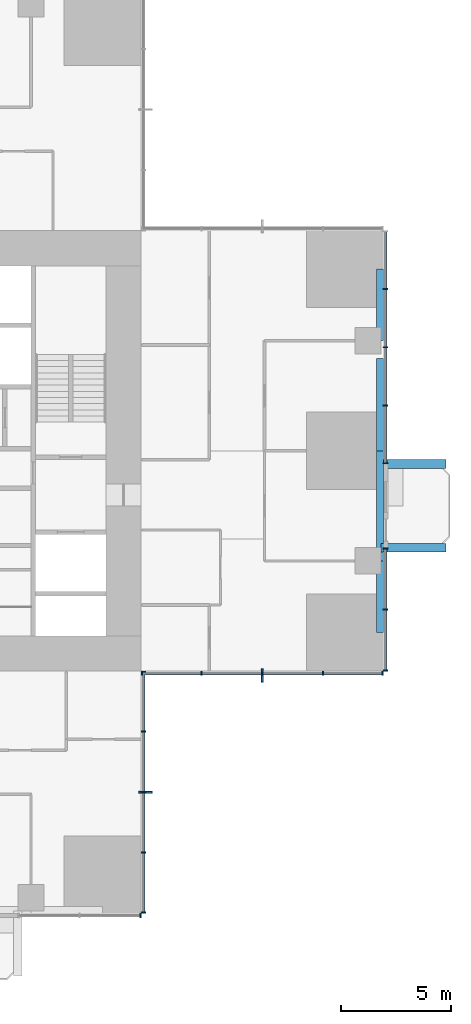
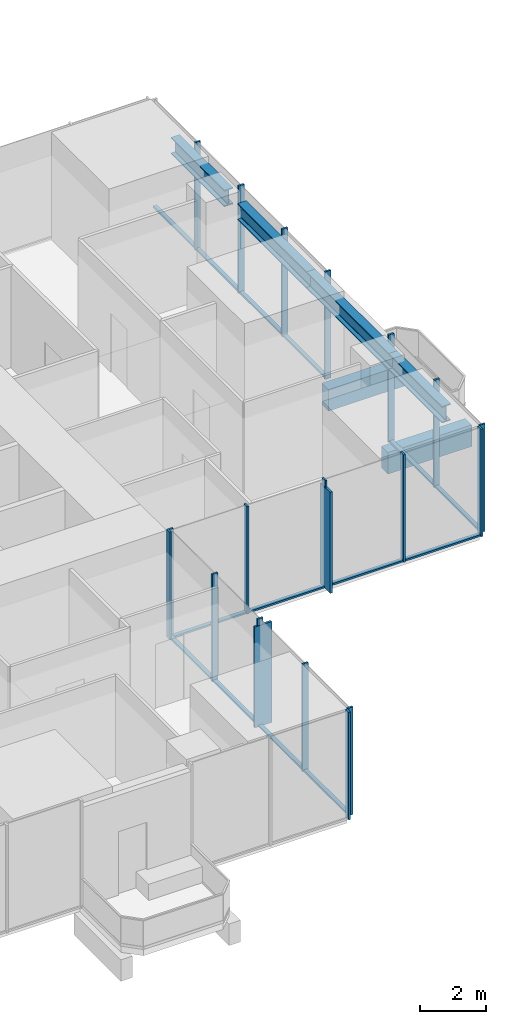
# One storey, part 4 of 13: 34 members, 6 beams, 5 elements without a shape of their own.
"""IFC4 building model written with IfcOpenShell, lengths in metres."""

from ifc_helpers import new_model, si_unit, direction, frame, origin, origin_2d, place, context, subcontext, project, spatial, rectangle, i_section, extrude, material, material_profile, profile_set, type_object, element, aggregate, save


model = new_model("IFC4")

# Units and contexts
model_context = context("Model", 3, precision=1e-05, world=origin(), true_north=direction((0.0, 1.0)))
body_context = subcontext(model_context, "Body", "Model", "MODEL_VIEW")
ifc_project = project(units=[si_unit("LENGTHUNIT", "METRE"), si_unit("AREAUNIT", "SQUARE_METRE"), si_unit("VOLUMEUNIT", "CUBIC_METRE"), si_unit("PLANEANGLEUNIT", "RADIAN"), si_unit("MASSUNIT", "GRAM", prefix="KILO")], contexts=[model_context])

# Site, building, storey
site_placement = place(None, origin())
site = spatial("IfcSite", under=ifc_project, at=site_placement, CompositionType="ELEMENT")
building_placement = place(site_placement, origin())
building = spatial("IfcBuilding", under=site, at=building_placement, Name="Svetlomir Tower", CompositionType="ELEMENT")
storey_placement = place(building_placement, frame((0.0, 0.0, 96.5)))
storey = spatial("IfcBuildingStorey", under=building, at=storey_placement, Name="L22", CompositionType="ELEMENT", Elevation=96.5)

# Beams
ifc_material_1 = material(Name="Concrete C60/75", Category="concrete")
ifc_material_profile_1 = material_profile(ifc_material_1, rectangle(XDim=0.39990234375, YDim=0.800048828125, at=origin_2d()), Name="RC 400x800")
ifc_profile_set_1 = profile_set([ifc_material_profile_1], Name="Concrete C60/75")
beam_type_1 = type_object("IfcBeamType", Name="BALCONY RIB RC 400x800", PredefinedType="BEAM", material=ifc_profile_set_1)
beam_1_placement = place(storey_placement, frame((41.89990234375, 16.60009765625, -0.64990234375), z_axis=(1.0, 0.0, 0.0), x_axis=(0.0, 1.0, 0.0)))
element("IfcBeam", 1, at=beam_1_placement, inside=storey, type_object=beam_type_1, Name="Balcony rib E 1 L22", PredefinedType="BEAM", context=body_context, shape_type="SweptSolid", body=[
    extrude(rectangle(XDim=0.39990234375, YDim=0.800048828125, at=origin_2d()), origin(), (0.0, 0.0, 1.0), 2.9501953125),
])
beam_2_placement = place(storey_placement, frame((42.0, 20.39990234375, -0.64990234375), z_axis=(1.0, 0.0, 0.0), x_axis=(0.0, 1.0, 0.0)))
element("IfcBeam", 2, at=beam_2_placement, inside=storey, type_object=beam_type_1, Name="Balcony rib E 2 L22", PredefinedType="BEAM", context=body_context, shape_type="SweptSolid", body=[
    extrude(rectangle(XDim=0.39990234375, YDim=0.800048828125, at=origin_2d()), origin(), (0.0, 0.0, 1.0), 2.85009765625),
])

# Curtain wall, member
ifc_material_2 = material(Name="Bronze anodised aluminium curtain wall", Category="aluminium")
curtain_wall_type = type_object("IfcCurtainWallType", Name="CURTAIN WALL CW1 TOWER OFFICE", PredefinedType="NOTDEFINED", material=ifc_material_2)
curtain_wall_1_placement = place(storey_placement, origin())
curtain_wall_1 = element("IfcCurtainWall", 3, at=curtain_wall_1_placement, inside=storey, type_object=curtain_wall_type, Name="Curtain wall CW1 L22", PredefinedType="NOTDEFINED")
ifc_material_3 = material(Name="Bronze anodised aluminium", Category="aluminium")
ifc_material_profile_2 = material_profile(ifc_material_3, rectangle(XDim=0.080078125, YDim=0.60009765625, at=origin_2d()), Name="FIN 80x600")
ifc_profile_set_2 = profile_set([ifc_material_profile_2], Name="Bronze anodised aluminium 6063-T6")
member_type_1 = type_object("IfcMemberType", Name="BRONZE FIN 80x600", PredefinedType="USERDEFINED", material=ifc_profile_set_2)
member_1_placement = place(storey_placement, frame((31.199951171875, 5.5, 0.0), z_axis=(0.0, 0.0, 1.0), x_axis=(0.0, 1.0, 0.0)))
member_1 = element("IfcMember", 4, at=member_1_placement, type_object=member_type_1, Name="Bronze fin L22", ObjectType="FIN", PredefinedType="USERDEFINED", context=body_context, shape_type="SweptSolid", body=[
    extrude(rectangle(XDim=0.080078125, YDim=0.60009765625, at=origin_2d()), origin(), (0.0, 0.0, 1.0), 3.75),
])

curtain_wall_2_placement = place(storey_placement, origin())
curtain_wall_2 = element("IfcCurtainWall", 5, at=curtain_wall_2_placement, inside=storey, type_object=curtain_wall_type, Name="Curtain wall CW1 L22", PredefinedType="NOTDEFINED")
member_2_placement = place(storey_placement, frame((36.5, 10.800048828125, 0.0), z_axis=(0.0, 0.0, 1.0), x_axis=(1.0, 0.0, 0.0)))
member_2 = element("IfcMember", 6, at=member_2_placement, type_object=member_type_1, Name="Bronze fin L22", ObjectType="FIN", PredefinedType="USERDEFINED", context=body_context, shape_type="SweptSolid", body=[
    extrude(rectangle(XDim=0.080078125, YDim=0.60009765625, at=origin_2d()), origin(), (0.0, 0.0, 1.0), 3.75),
])

curtain_wall_3_placement = place(storey_placement, origin())
curtain_wall_3 = element("IfcCurtainWall", 7, at=curtain_wall_3_placement, inside=storey, type_object=curtain_wall_type, Name="Curtain wall CW1 L22", PredefinedType="NOTDEFINED")
ifc_material_4 = material(Name="Bronze anodised aluminium", Category="aluminium")
ifc_material_profile_3 = material_profile(ifc_material_4, rectangle(XDim=0.06494140625, YDim=0.199951171875, at=origin_2d()), Name="AL 65x200")
ifc_profile_set_3 = profile_set([ifc_material_profile_3], Name="Bronze anodised aluminium 6063-T6")
member_type_2 = type_object("IfcMemberType", Name="CW1 MULLION 65x200", PredefinedType="MULLION", material=ifc_profile_set_3)
member_3_placement = place(storey_placement, frame((30.967529296875, -0.10009765625, 0.0), z_axis=(0.0, 0.0, 1.0), x_axis=(1.0, 0.0, 0.0)))
member_3 = element("IfcMember", 8, at=member_3_placement, type_object=member_type_2, Name="CW1 mullion 3", PredefinedType="MULLION", context=body_context, shape_type="SweptSolid", body=[
    extrude(rectangle(XDim=0.06494140625, YDim=0.199951171875, at=origin_2d()), origin(), (0.0, 0.0, 1.0), 4.0),
])
aggregate(curtain_wall_3, [member_3])

# Member
member_4_placement = place(storey_placement, frame((31.10009765625, 0.032470703125, 0.0), z_axis=(0.0, 0.0, 1.0), x_axis=(0.0, 1.0, 0.0)))
member_4 = element("IfcMember", 9, at=member_4_placement, type_object=member_type_2, Name="CW1 mullion 1", PredefinedType="MULLION", context=body_context, shape_type="SweptSolid", body=[
    extrude(rectangle(XDim=0.06494140625, YDim=0.199951171875, at=origin_2d()), origin(), (0.0, 0.0, 1.0), 4.0),
])

member_5_placement = place(storey_placement, frame((31.10009765625, 2.75, 0.0), z_axis=(0.0, 0.0, 1.0), x_axis=(0.0, 1.0, 0.0)))
member_5 = element("IfcMember", 10, at=member_5_placement, type_object=member_type_2, Name="CW1 mullion 2", PredefinedType="MULLION", context=body_context, shape_type="SweptSolid", body=[
    extrude(rectangle(XDim=0.06494140625, YDim=0.199951171875, at=origin_2d()), origin(), (0.0, 0.0, 1.0), 4.0),
])

member_6_placement = place(storey_placement, frame((31.10009765625, 5.5, 0.0), z_axis=(0.0, 0.0, 1.0), x_axis=(0.0, 1.0, 0.0)))
member_6 = element("IfcMember", 11, at=member_6_placement, type_object=member_type_2, Name="CW1 mullion 3", PredefinedType="MULLION", context=body_context, shape_type="SweptSolid", body=[
    extrude(rectangle(XDim=0.06494140625, YDim=0.199951171875, at=origin_2d()), origin(), (0.0, 0.0, 1.0), 4.0),
])

member_7_placement = place(storey_placement, frame((31.10009765625, 8.25, 0.0), z_axis=(0.0, 0.0, 1.0), x_axis=(0.0, 1.0, 0.0)))
member_7 = element("IfcMember", 12, at=member_7_placement, type_object=member_type_2, Name="CW1 mullion 4", PredefinedType="MULLION", context=body_context, shape_type="SweptSolid", body=[
    extrude(rectangle(XDim=0.06494140625, YDim=0.199951171875, at=origin_2d()), origin(), (0.0, 0.0, 1.0), 4.0),
])

member_8_placement = place(storey_placement, frame((31.10009765625, 10.967529296875, 0.0), z_axis=(0.0, 0.0, 1.0), x_axis=(0.0, 1.0, 0.0)))
member_8 = element("IfcMember", 13, at=member_8_placement, type_object=member_type_2, Name="CW1 mullion 5", PredefinedType="MULLION", context=body_context, shape_type="SweptSolid", body=[
    extrude(rectangle(XDim=0.06494140625, YDim=0.199951171875, at=origin_2d()), origin(), (0.0, 0.0, 1.0), 4.0),
])

member_9_placement = place(storey_placement, frame((31.032470703125, 10.89990234375, 0.0), z_axis=(0.0, 0.0, 1.0), x_axis=(1.0, 0.0, 0.0)))
member_9 = element("IfcMember", 14, at=member_9_placement, type_object=member_type_2, Name="CW1 mullion 1", PredefinedType="MULLION", context=body_context, shape_type="SweptSolid", body=[
    extrude(rectangle(XDim=0.06494140625, YDim=0.199951171875, at=origin_2d()), origin(), (0.0, 0.0, 1.0), 4.0),
])

member_10_placement = place(storey_placement, frame((33.75, 10.89990234375, 0.0), z_axis=(0.0, 0.0, 1.0), x_axis=(1.0, 0.0, 0.0)))
member_10 = element("IfcMember", 15, at=member_10_placement, type_object=member_type_2, Name="CW1 mullion 2", PredefinedType="MULLION", context=body_context, shape_type="SweptSolid", body=[
    extrude(rectangle(XDim=0.06494140625, YDim=0.199951171875, at=origin_2d()), origin(), (0.0, 0.0, 1.0), 4.0),
])

member_11_placement = place(storey_placement, frame((36.5, 10.89990234375, 0.0), z_axis=(0.0, 0.0, 1.0), x_axis=(1.0, 0.0, 0.0)))
member_11 = element("IfcMember", 16, at=member_11_placement, type_object=member_type_2, Name="CW1 mullion 3", PredefinedType="MULLION", context=body_context, shape_type="SweptSolid", body=[
    extrude(rectangle(XDim=0.06494140625, YDim=0.199951171875, at=origin_2d()), origin(), (0.0, 0.0, 1.0), 4.0),
])

member_12_placement = place(storey_placement, frame((39.25, 10.89990234375, 0.0), z_axis=(0.0, 0.0, 1.0), x_axis=(1.0, 0.0, 0.0)))
member_12 = element("IfcMember", 17, at=member_12_placement, type_object=member_type_2, Name="CW1 mullion 4", PredefinedType="MULLION", context=body_context, shape_type="SweptSolid", body=[
    extrude(rectangle(XDim=0.06494140625, YDim=0.199951171875, at=origin_2d()), origin(), (0.0, 0.0, 1.0), 4.0),
])

member_13_placement = place(storey_placement, frame((41.967529296875, 10.89990234375, 0.0), z_axis=(0.0, 0.0, 1.0), x_axis=(1.0, 0.0, 0.0)))
member_13 = element("IfcMember", 18, at=member_13_placement, type_object=member_type_2, Name="CW1 mullion 5", PredefinedType="MULLION", context=body_context, shape_type="SweptSolid", body=[
    extrude(rectangle(XDim=0.06494140625, YDim=0.199951171875, at=origin_2d()), origin(), (0.0, 0.0, 1.0), 4.0),
])

# Curtain wall, members
curtain_wall_4_placement = place(storey_placement, origin())
curtain_wall_4 = element("IfcCurtainWall", 19, at=curtain_wall_4_placement, inside=storey, type_object=curtain_wall_type, Name="Curtain wall CW1 L22", PredefinedType="NOTDEFINED")
member_14_placement = place(storey_placement, frame((42.10009765625, 11.032470703125, 0.0), z_axis=(0.0, 0.0, 1.0), x_axis=(0.0, 1.0, 0.0)))
member_14 = element("IfcMember", 20, at=member_14_placement, type_object=member_type_2, Name="CW1 mullion 1", PredefinedType="MULLION", context=body_context, shape_type="SweptSolid", body=[
    extrude(rectangle(XDim=0.06494140625, YDim=0.199951171875, at=origin_2d()), origin(), (0.0, 0.0, 1.0), 4.0),
])
member_15_placement = place(storey_placement, frame((42.10009765625, 13.800048828125, 0.0), z_axis=(0.0, 0.0, 1.0), x_axis=(0.0, 1.0, 0.0)))
member_15 = element("IfcMember", 21, at=member_15_placement, type_object=member_type_2, Name="CW1 mullion 2", PredefinedType="MULLION", context=body_context, shape_type="SweptSolid", body=[
    extrude(rectangle(XDim=0.06494140625, YDim=0.199951171875, at=origin_2d()), origin(), (0.0, 0.0, 1.0), 4.0),
])
member_16_placement = place(storey_placement, frame((42.10009765625, 16.5673828125, 0.0), z_axis=(0.0, 0.0, 1.0), x_axis=(0.0, 1.0, 0.0)))
member_16 = element("IfcMember", 22, at=member_16_placement, type_object=member_type_2, Name="CW1 mullion 3", PredefinedType="MULLION", context=body_context, shape_type="SweptSolid", body=[
    extrude(rectangle(XDim=0.06494140625, YDim=0.199951171875, at=origin_2d()), origin(), (0.0, 0.0, 1.0), 4.0),
])

curtain_wall_5_placement = place(storey_placement, origin())
curtain_wall_5 = element("IfcCurtainWall", 23, at=curtain_wall_5_placement, inside=storey, type_object=curtain_wall_type, Name="Curtain wall CW1 L22", PredefinedType="NOTDEFINED")
member_17_placement = place(storey_placement, frame((42.10009765625, 20.4326171875, 0.0), z_axis=(0.0, 0.0, 1.0), x_axis=(0.0, 1.0, 0.0)))
member_17 = element("IfcMember", 24, at=member_17_placement, type_object=member_type_2, Name="CW1 mullion 1", PredefinedType="MULLION", context=body_context, shape_type="SweptSolid", body=[
    extrude(rectangle(XDim=0.06494140625, YDim=0.199951171875, at=origin_2d()), origin(), (0.0, 0.0, 1.0), 4.0),
])
member_18_placement = place(storey_placement, frame((42.10009765625, 23.050048828125, 0.0), z_axis=(0.0, 0.0, 1.0), x_axis=(0.0, 1.0, 0.0)))
member_18 = element("IfcMember", 25, at=member_18_placement, type_object=member_type_2, Name="CW1 mullion 2", PredefinedType="MULLION", context=body_context, shape_type="SweptSolid", body=[
    extrude(rectangle(XDim=0.06494140625, YDim=0.199951171875, at=origin_2d()), origin(), (0.0, 0.0, 1.0), 4.0),
])
member_19_placement = place(storey_placement, frame((42.10009765625, 25.699951171875, 0.0), z_axis=(0.0, 0.0, 1.0), x_axis=(0.0, 1.0, 0.0)))
member_19 = element("IfcMember", 26, at=member_19_placement, type_object=member_type_2, Name="CW1 mullion 3", PredefinedType="MULLION", context=body_context, shape_type="SweptSolid", body=[
    extrude(rectangle(XDim=0.06494140625, YDim=0.199951171875, at=origin_2d()), origin(), (0.0, 0.0, 1.0), 4.0),
])
member_20_placement = place(storey_placement, frame((42.10009765625, 28.35009765625, 0.0), z_axis=(0.0, 0.0, 1.0), x_axis=(0.0, 1.0, 0.0)))
member_20 = element("IfcMember", 27, at=member_20_placement, type_object=member_type_2, Name="CW1 mullion 4", PredefinedType="MULLION", context=body_context, shape_type="SweptSolid", body=[
    extrude(rectangle(XDim=0.06494140625, YDim=0.199951171875, at=origin_2d()), origin(), (0.0, 0.0, 1.0), 4.0),
])

# Member
ifc_material_5 = material(Name="Bronze anodised aluminium", Category="aluminium")
ifc_material_profile_4 = material_profile(ifc_material_5, rectangle(XDim=0.139892578125, YDim=0.06494140625, at=origin_2d()), Name="AL 140x65")
ifc_profile_set_4 = profile_set([ifc_material_profile_4], Name="Bronze anodised aluminium 6063-T6")
member_type_3 = type_object("IfcMemberType", Name="CW1 TRANSOM 65x140", PredefinedType="USERDEFINED", material=ifc_profile_set_4)
member_21_placement = place(storey_placement, frame((31.10009765625, 0.06494140625, 0.032470703125), z_axis=(0.0, 1.0, 0.0), x_axis=(-1.0, 0.0, 0.0)))
member_21 = element("IfcMember", 28, at=member_21_placement, type_object=member_type_3, Name="CW1 transom 1.1", ObjectType="TRANSOM", PredefinedType="USERDEFINED", context=body_context, shape_type="SweptSolid", body=[
    extrude(rectangle(XDim=0.139892578125, YDim=0.06494140625, at=origin_2d()), origin(), (0.0, 0.0, 1.0), 2.652587890625),
])

member_22_placement = place(storey_placement, frame((31.10009765625, 2.782470703125, 0.032470703125), z_axis=(0.0, 1.0, 0.0), x_axis=(-1.0, 0.0, 0.0)))
member_22 = element("IfcMember", 29, at=member_22_placement, type_object=member_type_3, Name="CW1 transom 2.1", ObjectType="TRANSOM", PredefinedType="USERDEFINED", context=body_context, shape_type="SweptSolid", body=[
    extrude(rectangle(XDim=0.139892578125, YDim=0.06494140625, at=origin_2d()), origin(), (0.0, 0.0, 1.0), 2.68505859375),
])

member_23_placement = place(storey_placement, frame((31.10009765625, 5.532470703125, 0.032470703125), z_axis=(0.0, 1.0, 0.0), x_axis=(-1.0, 0.0, 0.0)))
member_23 = element("IfcMember", 30, at=member_23_placement, type_object=member_type_3, Name="CW1 transom 3.1", ObjectType="TRANSOM", PredefinedType="USERDEFINED", context=body_context, shape_type="SweptSolid", body=[
    extrude(rectangle(XDim=0.139892578125, YDim=0.06494140625, at=origin_2d()), origin(), (0.0, 0.0, 1.0), 2.68505859375),
])

member_24_placement = place(storey_placement, frame((31.10009765625, 8.282470703125, 0.032470703125), z_axis=(0.0, 1.0, 0.0), x_axis=(-1.0, 0.0, 0.0)))
member_24 = element("IfcMember", 31, at=member_24_placement, type_object=member_type_3, Name="CW1 transom 4.1", ObjectType="TRANSOM", PredefinedType="USERDEFINED", context=body_context, shape_type="SweptSolid", body=[
    extrude(rectangle(XDim=0.139892578125, YDim=0.06494140625, at=origin_2d()), origin(), (0.0, 0.0, 1.0), 2.652587890625),
])

aggregate(curtain_wall_1, [member_4, member_5, member_6, member_7, member_8, member_21, member_22, member_23, member_24, member_1])

member_25_placement = place(storey_placement, frame((31.06494140625, 10.89990234375, 0.032470703125), z_axis=(1.0, 0.0, 0.0), x_axis=(0.0, 1.0, 0.0)))
member_25 = element("IfcMember", 32, at=member_25_placement, type_object=member_type_3, Name="CW1 transom 1.1", ObjectType="TRANSOM", PredefinedType="USERDEFINED", context=body_context, shape_type="SweptSolid", body=[
    extrude(rectangle(XDim=0.139892578125, YDim=0.06494140625, at=origin_2d()), origin(), (0.0, 0.0, 1.0), 2.652587890625),
])

member_26_placement = place(storey_placement, frame((33.782470703125, 10.89990234375, 0.032470703125), z_axis=(1.0, 0.0, 0.0), x_axis=(0.0, 1.0, 0.0)))
member_26 = element("IfcMember", 33, at=member_26_placement, type_object=member_type_3, Name="CW1 transom 2.1", ObjectType="TRANSOM", PredefinedType="USERDEFINED", context=body_context, shape_type="SweptSolid", body=[
    extrude(rectangle(XDim=0.139892578125, YDim=0.06494140625, at=origin_2d()), origin(), (0.0, 0.0, 1.0), 2.68505859375),
])

member_27_placement = place(storey_placement, frame((36.532470703125, 10.89990234375, 0.032470703125), z_axis=(1.0, 0.0, 0.0), x_axis=(0.0, 1.0, 0.0)))
member_27 = element("IfcMember", 34, at=member_27_placement, type_object=member_type_3, Name="CW1 transom 3.1", ObjectType="TRANSOM", PredefinedType="USERDEFINED", context=body_context, shape_type="SweptSolid", body=[
    extrude(rectangle(XDim=0.139892578125, YDim=0.06494140625, at=origin_2d()), origin(), (0.0, 0.0, 1.0), 2.68505859375),
])

member_28_placement = place(storey_placement, frame((39.282470703125, 10.89990234375, 0.032470703125), z_axis=(1.0, 0.0, 0.0), x_axis=(0.0, 1.0, 0.0)))
member_28 = element("IfcMember", 35, at=member_28_placement, type_object=member_type_3, Name="CW1 transom 4.1", ObjectType="TRANSOM", PredefinedType="USERDEFINED", context=body_context, shape_type="SweptSolid", body=[
    extrude(rectangle(XDim=0.139892578125, YDim=0.06494140625, at=origin_2d()), origin(), (0.0, 0.0, 1.0), 2.652587890625),
])

aggregate(curtain_wall_2, [member_9, member_10, member_11, member_12, member_13, member_25, member_26, member_27, member_28, member_2])

member_29_placement = place(storey_placement, frame((42.10009765625, 11.06494140625, 0.032470703125), z_axis=(0.0, 1.0, 0.0), x_axis=(-1.0, 0.0, 0.0)))
member_29 = element("IfcMember", 36, at=member_29_placement, type_object=member_type_3, Name="CW1 transom 1.1", ObjectType="TRANSOM", PredefinedType="USERDEFINED", context=body_context, shape_type="SweptSolid", body=[
    extrude(rectangle(XDim=0.139892578125, YDim=0.06494140625, at=origin_2d()), origin(), (0.0, 0.0, 1.0), 2.70263671875),
])

member_30_placement = place(storey_placement, frame((42.10009765625, 13.83251953125, 0.032470703125), z_axis=(0.0, 1.0, 0.0), x_axis=(-1.0, 0.0, 0.0)))
member_30 = element("IfcMember", 37, at=member_30_placement, type_object=member_type_3, Name="CW1 transom 2.1", ObjectType="TRANSOM", PredefinedType="USERDEFINED", context=body_context, shape_type="SweptSolid", body=[
    extrude(rectangle(XDim=0.139892578125, YDim=0.06494140625, at=origin_2d()), origin(), (0.0, 0.0, 1.0), 2.702392578125),
])

aggregate(curtain_wall_4, [member_14, member_15, member_16, member_29, member_30])

member_31_placement = place(storey_placement, frame((42.10009765625, 20.465087890625, 0.032470703125), z_axis=(0.0, 1.0, 0.0), x_axis=(-1.0, 0.0, 0.0)))
member_31 = element("IfcMember", 38, at=member_31_placement, type_object=member_type_3, Name="CW1 transom 1.1", ObjectType="TRANSOM", PredefinedType="USERDEFINED", context=body_context, shape_type="SweptSolid", body=[
    extrude(rectangle(XDim=0.139892578125, YDim=0.06494140625, at=origin_2d()), origin(), (0.0, 0.0, 1.0), 2.552490234375),
])

member_32_placement = place(storey_placement, frame((42.10009765625, 23.08251953125, 0.032470703125), z_axis=(0.0, 1.0, 0.0), x_axis=(-1.0, 0.0, 0.0)))
member_32 = element("IfcMember", 39, at=member_32_placement, type_object=member_type_3, Name="CW1 transom 2.1", ObjectType="TRANSOM", PredefinedType="USERDEFINED", context=body_context, shape_type="SweptSolid", body=[
    extrude(rectangle(XDim=0.139892578125, YDim=0.06494140625, at=origin_2d()), origin(), (0.0, 0.0, 1.0), 2.5849609375),
])

member_33_placement = place(storey_placement, frame((42.10009765625, 25.732421875, 0.032470703125), z_axis=(0.0, 1.0, 0.0), x_axis=(-1.0, 0.0, 0.0)))
member_33 = element("IfcMember", 40, at=member_33_placement, type_object=member_type_3, Name="CW1 transom 3.1", ObjectType="TRANSOM", PredefinedType="USERDEFINED", context=body_context, shape_type="SweptSolid", body=[
    extrude(rectangle(XDim=0.139892578125, YDim=0.06494140625, at=origin_2d()), origin(), (0.0, 0.0, 1.0), 2.5849609375),
])

member_34_placement = place(storey_placement, frame((42.10009765625, 28.382568359375, 0.032470703125), z_axis=(0.0, 1.0, 0.0), x_axis=(-1.0, 0.0, 0.0)))
member_34 = element("IfcMember", 41, at=member_34_placement, type_object=member_type_3, Name="CW1 transom 4.1", ObjectType="TRANSOM", PredefinedType="USERDEFINED", context=body_context, shape_type="SweptSolid", body=[
    extrude(rectangle(XDim=0.139892578125, YDim=0.06494140625, at=origin_2d()), origin(), (0.0, 0.0, 1.0), 2.552490234375),
])

aggregate(curtain_wall_5, [member_17, member_18, member_19, member_20, member_31, member_32, member_33, member_34])

# Beams
ifc_material_6 = material(Name="Steel S355", Category="steel")
ifc_material_profile_5 = material_profile(ifc_material_6, i_section(OverallWidth=0.304931640625, OverallDepth=0.6201171875, WebThickness=0.02099609375, FlangeThickness=0.0400390625, FilletRadius=0.027099609375, at=origin_2d()), Name="HEM 600")
ifc_profile_set_5 = profile_set([ifc_material_profile_5], Name="Steel S355")
beam_type_2 = type_object("IfcBeamType", Name="EDGE BEAM HEM 600", PredefinedType="SPANDREL", material=ifc_profile_set_5)
beam_3_placement = place(storey_placement, frame((41.847412109375, 12.75, 3.43994140625), z_axis=(0.0, 1.0, 0.0), x_axis=(-1.0, 0.0, 0.0)))
element("IfcBeam", 42, at=beam_3_placement, inside=storey, type_object=beam_type_2, Name="Edge beam 42/11 to 42/16 under L23", PredefinedType="SPANDREL", context=body_context, shape_type="SweptSolid", body=[
    extrude(i_section(OverallWidth=0.304931640625, OverallDepth=0.6201171875, WebThickness=0.02099609375, FlangeThickness=0.0400390625, FilletRadius=0.027099609375, at=origin_2d()), origin(), (0.0, 0.0, 1.0), 3.25),
])
beam_4_placement = place(storey_placement, frame((41.847412109375, 16.0, 3.43994140625), z_axis=(0.0, 1.0, 0.0), x_axis=(-1.0, 0.0, 0.0)))
element("IfcBeam", 43, at=beam_4_placement, inside=storey, type_object=beam_type_2, Name="Edge beam 42/16 to 42/21 under L23", PredefinedType="SPANDREL", context=body_context, shape_type="SweptSolid", body=[
    extrude(i_section(OverallWidth=0.304931640625, OverallDepth=0.6201171875, WebThickness=0.02099609375, FlangeThickness=0.0400390625, FilletRadius=0.027099609375, at=origin_2d()), origin(), (0.0, 0.0, 1.0), 5.0),
])
beam_5_placement = place(storey_placement, frame((41.847412109375, 21.0, 3.43994140625), z_axis=(0.0, 1.0, 0.0), x_axis=(-1.0, 0.0, 0.0)))
element("IfcBeam", 44, at=beam_5_placement, inside=storey, type_object=beam_type_2, Name="Edge beam 42/21 to 42/26 under L23", PredefinedType="SPANDREL", context=body_context, shape_type="SweptSolid", body=[
    extrude(i_section(OverallWidth=0.304931640625, OverallDepth=0.6201171875, WebThickness=0.02099609375, FlangeThickness=0.0400390625, FilletRadius=0.027099609375, at=origin_2d()), origin(), (0.0, 0.0, 1.0), 4.199951171875),
])
beam_6_placement = place(storey_placement, frame((41.847412109375, 26.0, 3.43994140625), z_axis=(0.0, 1.0, 0.0), x_axis=(-1.0, 0.0, 0.0)))
element("IfcBeam", 45, at=beam_6_placement, inside=storey, type_object=beam_type_2, Name="Edge beam 42/26 to 42/31 under L23", PredefinedType="SPANDREL", context=body_context, shape_type="SweptSolid", body=[
    extrude(i_section(OverallWidth=0.304931640625, OverallDepth=0.6201171875, WebThickness=0.02099609375, FlangeThickness=0.0400390625, FilletRadius=0.027099609375, at=origin_2d()), origin(), (0.0, 0.0, 1.0), 3.25),
])

save(model, "model.ifc")
